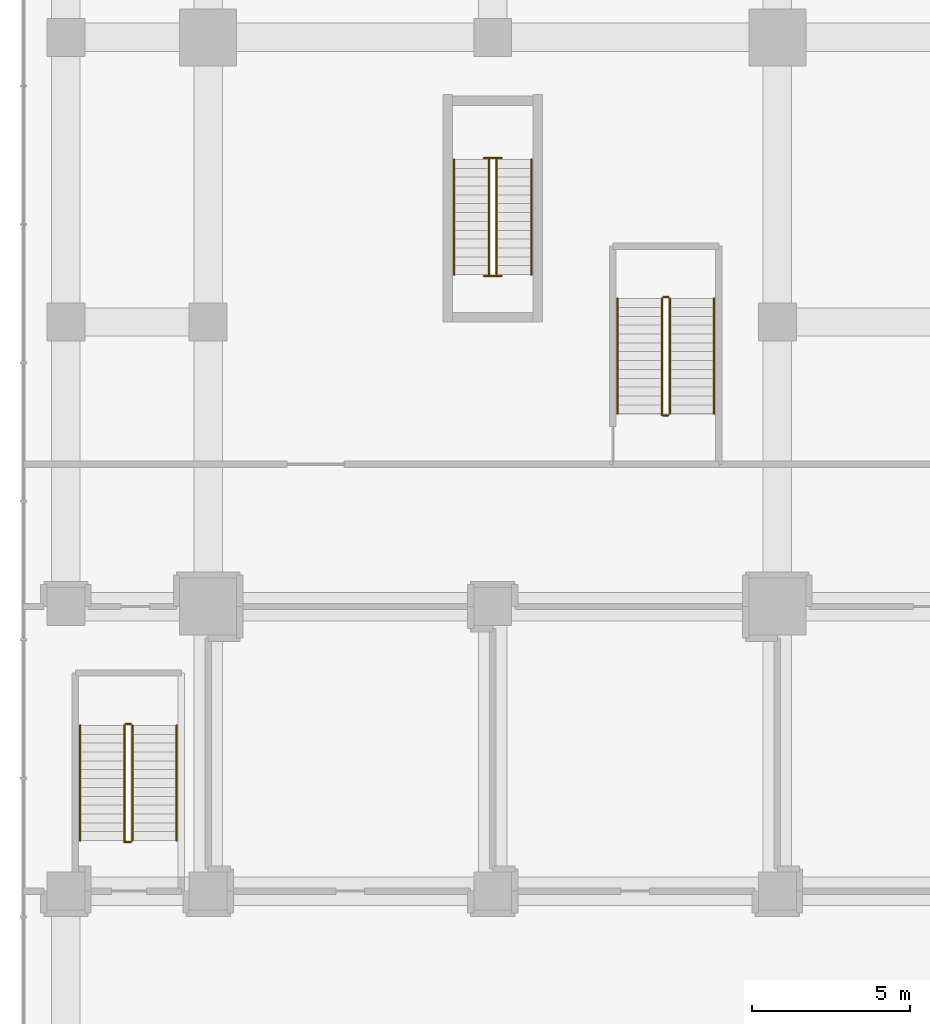
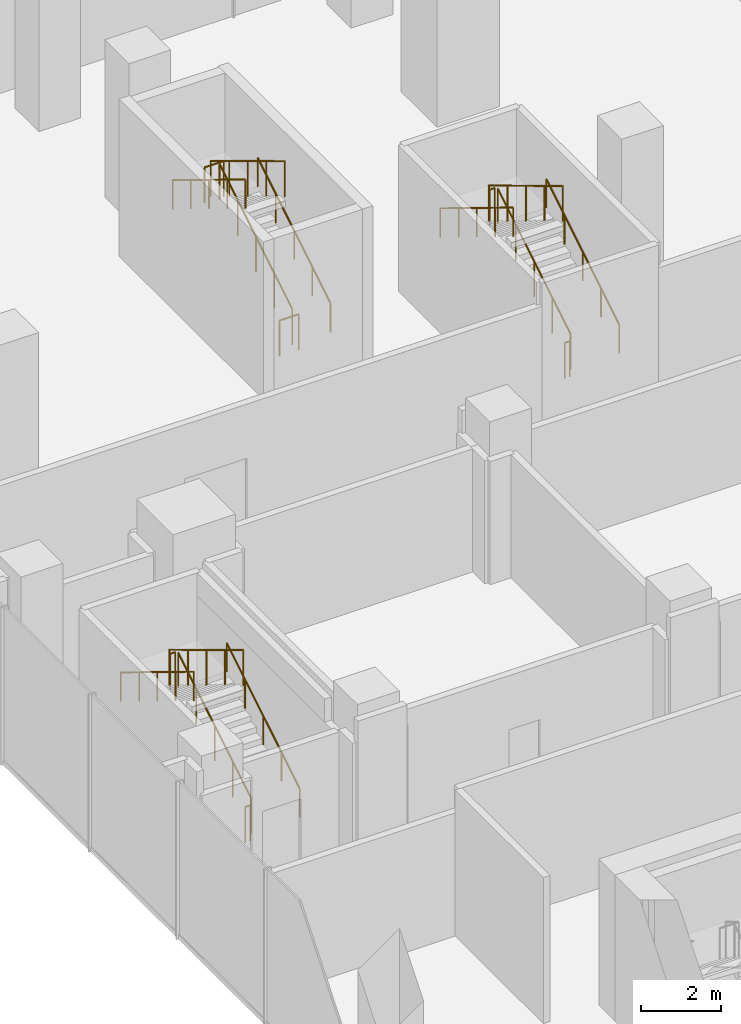
# One storey, part 39 of 42: 18 railings.
"""IFC4 building model written with IfcOpenShell, lengths in metres."""

from ifc_helpers import new_model, si_unit, direction, frame, origin, origin_2d, place, context, subcontext, project, spatial, circle, extrude, material, type_object, element, save


model = new_model("IFC4")

# Units and contexts
model_context = context("Model", 3, precision=1e-05, world=origin(), true_north=direction((0.0, 1.0)))
body_context = subcontext(model_context, "Body", "Model", "MODEL_VIEW")
ifc_project = project(units=[si_unit("LENGTHUNIT", "METRE"), si_unit("AREAUNIT", "SQUARE_METRE"), si_unit("VOLUMEUNIT", "CUBIC_METRE"), si_unit("PLANEANGLEUNIT", "RADIAN"), si_unit("MASSUNIT", "GRAM", prefix="KILO")], contexts=[model_context])

# Site, building, storey
site_placement = place(None, origin())
site = spatial("IfcSite", under=ifc_project, at=site_placement, CompositionType="ELEMENT")
building_placement = place(site_placement, origin())
building = spatial("IfcBuilding", under=site, at=building_placement, Name="Plateau Cross Towers", CompositionType="ELEMENT")
storey_placement = place(building_placement, frame((0.0, 0.0, 8.0)))
storey = spatial("IfcBuildingStorey", under=building, at=storey_placement, Name="L01", CompositionType="ELEMENT", Elevation=8.0)

# Railings
ifc_material_1 = material(Name="Stainless steel and toughened glass", Category="steel")
railing_type_1 = type_object("IfcRailingType", Name="RL-GUARD-1100", PredefinedType="GUARDRAIL", material=ifc_material_1)
railing_1_placement = place(storey_placement, frame((9.125, 46.5, 0.17138671875)))
element("IfcRailing", 1, at=railing_1_placement, inside=storey, type_object=railing_type_1, Name="L01 ES-N stair guard 1", PredefinedType="GUARDRAIL", context=body_context, shape_type="SweptSolid", body=[
    extrude(circle(Radius=0.02392578125, at=origin_2d()), frame((0.0, 0.0, 1.076171875), z_axis=(0.0, 0.852850264322, 0.5221555579), x_axis=(-1.0, 0.0, 0.0)), (0.0, 0.0, 1.0), 4.267822265625),
    extrude(circle(Radius=0.02099609375, at=origin_2d()), origin(), (0.0, 0.0, 1.0), 1.052001953125),
    extrude(circle(Radius=0.02099609375, at=origin_2d()), frame((0.0, 0.909912109375, 0.55712890625)), (0.0, 0.0, 1.0), 1.052001953125),
    extrude(circle(Radius=0.02099609375, at=origin_2d()), frame((0.0, 1.81982421875, 1.1142578125)), (0.0, 0.0, 1.0), 1.052001953125),
    extrude(circle(Radius=0.02099609375, at=origin_2d()), frame((0.0, 2.72998046875, 1.67138671875)), (0.0, 0.0, 1.0), 1.052001953125),
    extrude(circle(Radius=0.02099609375, at=origin_2d()), frame((0.0, 3.639892578125, 2.228515625)), (0.0, 0.0, 1.0), 1.052001953125),
])
railing_2_placement = place(storey_placement, frame((9.27490234375, 50.18994140625, 2.39990234375)))
element("IfcRailing", 2, at=railing_2_placement, inside=storey, type_object=railing_type_1, Name="L01 ES-N stair guard 2", PredefinedType="GUARDRAIL", context=body_context, shape_type="SweptSolid", body=[
    extrude(circle(Radius=0.02392578125, at=origin_2d()), frame((0.0, 0.0, 1.076171875), z_axis=(-1.0, 0.0, 0.0), x_axis=(0.0, -1.0, 0.0)), (0.0, 0.0, 1.0), 0.5498046875),
    extrude(circle(Radius=0.02099609375, at=origin_2d()), origin(), (0.0, 0.0, 1.0), 1.052001953125),
    extrude(circle(Radius=0.02099609375, at=origin_2d()), frame((-0.5498046875, 0.0, 0.0)), (0.0, 0.0, 1.0), 1.052001953125),
])
railing_3_placement = place(storey_placement, frame((8.875, 50.139892578125, 2.571533203125)))
element("IfcRailing", 3, at=railing_3_placement, inside=storey, type_object=railing_type_1, Name="L01 ES-N stair guard 3", PredefinedType="GUARDRAIL", context=body_context, shape_type="SweptSolid", body=[
    extrude(circle(Radius=0.02392578125, at=origin_2d()), frame((0.0, 0.0, 1.076171875), z_axis=(0.0, -0.856000133688, 0.516975600126), x_axis=(1.0, 0.0, 0.0)), (0.0, 0.0, 1.0), 4.310791015625),
    extrude(circle(Radius=0.02099609375, at=origin_2d()), origin(), (0.0, 0.0, 1.0), 1.052001953125),
    extrude(circle(Radius=0.02099609375, at=origin_2d()), frame((0.0, -0.92236328125, 0.55712890625)), (0.0, 0.0, 1.0), 1.052001953125),
    extrude(circle(Radius=0.02099609375, at=origin_2d()), frame((0.0, -1.844970703125, 1.1142578125)), (0.0, 0.0, 1.0), 1.052001953125),
    extrude(circle(Radius=0.02099609375, at=origin_2d()), frame((0.0, -2.767578125, 1.67138671875)), (0.0, 0.0, 1.0), 1.052001953125),
    extrude(circle(Radius=0.02099609375, at=origin_2d()), frame((0.0, -3.68994140625, 2.228515625)), (0.0, 0.0, 1.0), 1.052001953125),
])
railing_4_placement = place(storey_placement, frame((9.27490234375, 46.449951171875, 0.0)))
element("IfcRailing", 4, at=railing_4_placement, inside=storey, type_object=railing_type_1, Name="L01 ES-N stair guard 4", PredefinedType="GUARDRAIL", context=body_context, shape_type="SweptSolid", body=[
    extrude(circle(Radius=0.02392578125, at=origin_2d()), frame((0.0, 0.0, 1.076171875), z_axis=(-1.0, 0.0, 0.0), x_axis=(0.0, -1.0, 0.0)), (0.0, 0.0, 1.0), 0.5498046875),
    extrude(circle(Radius=0.02099609375, at=origin_2d()), origin(), (0.0, 0.0, 1.0), 1.052001953125),
    extrude(circle(Radius=0.02099609375, at=origin_2d()), frame((-0.5498046875, 0.0, 0.0)), (0.0, 0.0, 1.0), 1.052001953125),
])
railing_5_placement = place(storey_placement, frame((-2.39990234375, 28.60009765625, 0.17138671875)))
element("IfcRailing", 5, at=railing_5_placement, inside=storey, type_object=railing_type_1, Name="L01 PS4 stair guard 1", PredefinedType="GUARDRAIL", context=body_context, shape_type="SweptSolid", body=[
    extrude(circle(Radius=0.02392578125, at=origin_2d()), frame((0.0, 0.0, 1.076171875), z_axis=(0.0, 0.852850264322, 0.5221555579), x_axis=(-1.0, 0.0, 0.0)), (0.0, 0.0, 1.0), 4.267822265625),
    extrude(circle(Radius=0.02099609375, at=origin_2d()), origin(), (0.0, 0.0, 1.0), 1.052001953125),
    extrude(circle(Radius=0.02099609375, at=origin_2d()), frame((0.0, 0.909912109375, 0.55712890625)), (0.0, 0.0, 1.0), 1.052001953125),
    extrude(circle(Radius=0.02099609375, at=origin_2d()), frame((0.0, 1.81982421875, 1.1142578125)), (0.0, 0.0, 1.0), 1.052001953125),
    extrude(circle(Radius=0.02099609375, at=origin_2d()), frame((0.0, 2.72998046875, 1.67138671875)), (0.0, 0.0, 1.0), 1.052001953125),
    extrude(circle(Radius=0.02099609375, at=origin_2d()), frame((0.0, 3.639892578125, 2.228515625)), (0.0, 0.0, 1.0), 1.052001953125),
])
railing_6_placement = place(storey_placement, frame((-2.449951171875, 32.2900390625, 2.39990234375)))
element("IfcRailing", 6, at=railing_6_placement, inside=storey, type_object=railing_type_1, Name="L01 PS4 stair guard 2", PredefinedType="GUARDRAIL", context=body_context, shape_type="SweptSolid", body=[
    extrude(circle(Radius=0.02392578125, at=origin_2d()), frame((0.0, 0.0, 1.076171875), z_axis=(-1.0, 0.0, 0.0), x_axis=(0.0, -1.0, 0.0)), (0.0, 0.0, 1.0), 0.150146484375),
    extrude(circle(Radius=0.02099609375, at=origin_2d()), origin(), (0.0, 0.0, 1.0), 1.052001953125),
    extrude(circle(Radius=0.02099609375, at=origin_2d()), frame((-0.150146484375, 0.0, 0.0)), (0.0, 0.0, 1.0), 1.052001953125),
])
railing_7_placement = place(storey_placement, frame((-2.64990234375, 32.239990234375, 2.571533203125)))
element("IfcRailing", 7, at=railing_7_placement, inside=storey, type_object=railing_type_1, Name="L01 PS4 stair guard 3", PredefinedType="GUARDRAIL", context=body_context, shape_type="SweptSolid", body=[
    extrude(circle(Radius=0.02392578125, at=origin_2d()), frame((0.0, 0.0, 1.076171875), z_axis=(0.0, -0.856000133688, 0.516975600126), x_axis=(1.0, 0.0, 0.0)), (0.0, 0.0, 1.0), 4.310791015625),
    extrude(circle(Radius=0.02099609375, at=origin_2d()), origin(), (0.0, 0.0, 1.0), 1.052001953125),
    extrude(circle(Radius=0.02099609375, at=origin_2d()), frame((0.0, -0.92236328125, 0.55712890625)), (0.0, 0.0, 1.0), 1.052001953125),
    extrude(circle(Radius=0.02099609375, at=origin_2d()), frame((0.0, -1.844970703125, 1.1142578125)), (0.0, 0.0, 1.0), 1.052001953125),
    extrude(circle(Radius=0.02099609375, at=origin_2d()), frame((0.0, -2.767578125, 1.67138671875)), (0.0, 0.0, 1.0), 1.052001953125),
    extrude(circle(Radius=0.02099609375, at=origin_2d()), frame((0.0, -3.68994140625, 2.228515625)), (0.0, 0.0, 1.0), 1.052001953125),
])
railing_8_placement = place(storey_placement, frame((-2.449951171875, 28.550048828125, 0.0)))
element("IfcRailing", 8, at=railing_8_placement, inside=storey, type_object=railing_type_1, Name="L01 PS4 stair guard 4", PredefinedType="GUARDRAIL", context=body_context, shape_type="SweptSolid", body=[
    extrude(circle(Radius=0.02392578125, at=origin_2d()), frame((0.0, 0.0, 1.076171875), z_axis=(-1.0, 0.0, 0.0), x_axis=(0.0, -1.0, 0.0)), (0.0, 0.0, 1.0), 0.150146484375),
    extrude(circle(Radius=0.02099609375, at=origin_2d()), origin(), (0.0, 0.0, 1.0), 1.052001953125),
    extrude(circle(Radius=0.02099609375, at=origin_2d()), frame((-0.150146484375, 0.0, 0.0)), (0.0, 0.0, 1.0), 1.052001953125),
])
railing_9_placement = place(storey_placement, frame((14.60009765625, 42.10009765625, 0.17138671875)))
element("IfcRailing", 9, at=railing_9_placement, inside=storey, type_object=railing_type_1, Name="L01 PS6 stair guard 1", PredefinedType="GUARDRAIL", context=body_context, shape_type="SweptSolid", body=[
    extrude(circle(Radius=0.02392578125, at=origin_2d()), frame((0.0, 0.0, 1.076171875), z_axis=(0.0, 0.852850264322, 0.5221555579), x_axis=(-1.0, 0.0, 0.0)), (0.0, 0.0, 1.0), 4.267822265625),
    extrude(circle(Radius=0.02099609375, at=origin_2d()), origin(), (0.0, 0.0, 1.0), 1.052001953125),
    extrude(circle(Radius=0.02099609375, at=origin_2d()), frame((0.0, 0.909912109375, 0.55712890625)), (0.0, 0.0, 1.0), 1.052001953125),
    extrude(circle(Radius=0.02099609375, at=origin_2d()), frame((0.0, 1.81982421875, 1.1142578125)), (0.0, 0.0, 1.0), 1.052001953125),
    extrude(circle(Radius=0.02099609375, at=origin_2d()), frame((0.0, 2.72998046875, 1.67138671875)), (0.0, 0.0, 1.0), 1.052001953125),
    extrude(circle(Radius=0.02099609375, at=origin_2d()), frame((0.0, 3.639892578125, 2.228515625)), (0.0, 0.0, 1.0), 1.052001953125),
])
railing_10_placement = place(storey_placement, frame((14.550048828125, 45.7900390625, 2.39990234375)))
element("IfcRailing", 10, at=railing_10_placement, inside=storey, type_object=railing_type_1, Name="L01 PS6 stair guard 2", PredefinedType="GUARDRAIL", context=body_context, shape_type="SweptSolid", body=[
    extrude(circle(Radius=0.02392578125, at=origin_2d()), frame((0.0, 0.0, 1.076171875), z_axis=(-1.0, 0.0, 0.0), x_axis=(0.0, -1.0, 0.0)), (0.0, 0.0, 1.0), 0.150146484375),
    extrude(circle(Radius=0.02099609375, at=origin_2d()), origin(), (0.0, 0.0, 1.0), 1.052001953125),
    extrude(circle(Radius=0.02099609375, at=origin_2d()), frame((-0.150146484375, 0.0, 0.0)), (0.0, 0.0, 1.0), 1.052001953125),
])
railing_11_placement = place(storey_placement, frame((14.35009765625, 45.739990234375, 2.571533203125)))
element("IfcRailing", 11, at=railing_11_placement, inside=storey, type_object=railing_type_1, Name="L01 PS6 stair guard 3", PredefinedType="GUARDRAIL", context=body_context, shape_type="SweptSolid", body=[
    extrude(circle(Radius=0.02392578125, at=origin_2d()), frame((0.0, 0.0, 1.076171875), z_axis=(0.0, -0.856000133688, 0.516975600126), x_axis=(1.0, 0.0, 0.0)), (0.0, 0.0, 1.0), 4.310791015625),
    extrude(circle(Radius=0.02099609375, at=origin_2d()), origin(), (0.0, 0.0, 1.0), 1.052001953125),
    extrude(circle(Radius=0.02099609375, at=origin_2d()), frame((0.0, -0.92236328125, 0.55712890625)), (0.0, 0.0, 1.0), 1.052001953125),
    extrude(circle(Radius=0.02099609375, at=origin_2d()), frame((0.0, -1.844970703125, 1.1142578125)), (0.0, 0.0, 1.0), 1.052001953125),
    extrude(circle(Radius=0.02099609375, at=origin_2d()), frame((0.0, -2.767578125, 1.67138671875)), (0.0, 0.0, 1.0), 1.052001953125),
    extrude(circle(Radius=0.02099609375, at=origin_2d()), frame((0.0, -3.68994140625, 2.228515625)), (0.0, 0.0, 1.0), 1.052001953125),
])
railing_12_placement = place(storey_placement, frame((14.550048828125, 42.050048828125, 0.0)))
element("IfcRailing", 12, at=railing_12_placement, inside=storey, type_object=railing_type_1, Name="L01 PS6 stair guard 4", PredefinedType="GUARDRAIL", context=body_context, shape_type="SweptSolid", body=[
    extrude(circle(Radius=0.02392578125, at=origin_2d()), frame((0.0, 0.0, 1.076171875), z_axis=(-1.0, 0.0, 0.0), x_axis=(0.0, -1.0, 0.0)), (0.0, 0.0, 1.0), 0.150146484375),
    extrude(circle(Radius=0.02099609375, at=origin_2d()), origin(), (0.0, 0.0, 1.0), 1.052001953125),
    extrude(circle(Radius=0.02099609375, at=origin_2d()), frame((-0.150146484375, 0.0, 0.0)), (0.0, 0.0, 1.0), 1.052001953125),
])
ifc_material_2 = material(Name="Black anodised aluminium", Category="aluminium")
railing_type_2 = type_object("IfcRailingType", Name="RL-HANDRAIL-900", PredefinedType="HANDRAIL", material=ifc_material_2)
railing_13_placement = place(storey_placement, frame((10.22509765625, 46.5, 0.17138671875)))
element("IfcRailing", 13, at=railing_13_placement, inside=storey, type_object=railing_type_2, Name="L01 ES-N stair handrail 1", PredefinedType="HANDRAIL", context=body_context, shape_type="SweptSolid", body=[
    extrude(circle(Radius=0.02392578125, at=origin_2d()), frame((0.0, 0.0, 0.8759765625), z_axis=(0.0, 0.852850264322, 0.5221555579), x_axis=(-1.0, 0.0, 0.0)), (0.0, 0.0, 1.0), 4.267822265625),
    extrude(circle(Radius=0.02099609375, at=origin_2d()), origin(), (0.0, 0.0, 1.0), 0.851806640625),
    extrude(circle(Radius=0.02099609375, at=origin_2d()), frame((0.0, 0.909912109375, 0.55712890625)), (0.0, 0.0, 1.0), 0.851806640625),
    extrude(circle(Radius=0.02099609375, at=origin_2d()), frame((0.0, 1.81982421875, 1.1142578125)), (0.0, 0.0, 1.0), 0.851806640625),
    extrude(circle(Radius=0.02099609375, at=origin_2d()), frame((0.0, 2.72998046875, 1.67138671875)), (0.0, 0.0, 1.0), 0.851806640625),
    extrude(circle(Radius=0.02099609375, at=origin_2d()), frame((0.0, 3.639892578125, 2.228515625)), (0.0, 0.0, 1.0), 0.851806640625),
])
railing_14_placement = place(storey_placement, frame((7.77490234375, 50.139892578125, 2.571533203125)))
element("IfcRailing", 14, at=railing_14_placement, inside=storey, type_object=railing_type_2, Name="L01 ES-N stair handrail 2", PredefinedType="HANDRAIL", context=body_context, shape_type="SweptSolid", body=[
    extrude(circle(Radius=0.02392578125, at=origin_2d()), frame((0.0, 0.0, 0.8759765625), z_axis=(0.0, -0.852850264322, 0.5221555579), x_axis=(1.0, 0.0, 0.0)), (0.0, 0.0, 1.0), 4.267822265625),
    extrude(circle(Radius=0.02099609375, at=origin_2d()), origin(), (0.0, 0.0, 1.0), 0.851806640625),
    extrude(circle(Radius=0.02099609375, at=origin_2d()), frame((0.0, -0.909912109375, 0.55712890625)), (0.0, 0.0, 1.0), 0.851806640625),
    extrude(circle(Radius=0.02099609375, at=origin_2d()), frame((0.0, -1.81982421875, 1.1142578125)), (0.0, 0.0, 1.0), 0.851806640625),
    extrude(circle(Radius=0.02099609375, at=origin_2d()), frame((0.0, -2.72998046875, 1.67138671875)), (0.0, 0.0, 1.0), 0.851806640625),
    extrude(circle(Radius=0.02099609375, at=origin_2d()), frame((0.0, -3.639892578125, 2.228515625)), (0.0, 0.0, 1.0), 0.851806640625),
])
railing_15_placement = place(storey_placement, frame((-1.0, 28.60009765625, 0.17138671875)))
element("IfcRailing", 15, at=railing_15_placement, inside=storey, type_object=railing_type_2, Name="L01 PS4 stair handrail 1", PredefinedType="HANDRAIL", context=body_context, shape_type="SweptSolid", body=[
    extrude(circle(Radius=0.02392578125, at=origin_2d()), frame((0.0, 0.0, 0.8759765625), z_axis=(0.0, 0.852850264322, 0.5221555579), x_axis=(-1.0, 0.0, 0.0)), (0.0, 0.0, 1.0), 4.267822265625),
    extrude(circle(Radius=0.02099609375, at=origin_2d()), origin(), (0.0, 0.0, 1.0), 0.851806640625),
    extrude(circle(Radius=0.02099609375, at=origin_2d()), frame((0.0, 0.909912109375, 0.55712890625)), (0.0, 0.0, 1.0), 0.851806640625),
    extrude(circle(Radius=0.02099609375, at=origin_2d()), frame((0.0, 1.81982421875, 1.1142578125)), (0.0, 0.0, 1.0), 0.851806640625),
    extrude(circle(Radius=0.02099609375, at=origin_2d()), frame((0.0, 2.72998046875, 1.67138671875)), (0.0, 0.0, 1.0), 0.851806640625),
    extrude(circle(Radius=0.02099609375, at=origin_2d()), frame((0.0, 3.639892578125, 2.228515625)), (0.0, 0.0, 1.0), 0.851806640625),
])
railing_16_placement = place(storey_placement, frame((-4.050048828125, 32.239990234375, 2.571533203125)))
element("IfcRailing", 16, at=railing_16_placement, inside=storey, type_object=railing_type_2, Name="L01 PS4 stair handrail 2", PredefinedType="HANDRAIL", context=body_context, shape_type="SweptSolid", body=[
    extrude(circle(Radius=0.02392578125, at=origin_2d()), frame((0.0, 0.0, 0.8759765625), z_axis=(0.0, -0.852850264322, 0.5221555579), x_axis=(1.0, 0.0, 0.0)), (0.0, 0.0, 1.0), 4.267822265625),
    extrude(circle(Radius=0.02099609375, at=origin_2d()), origin(), (0.0, 0.0, 1.0), 0.851806640625),
    extrude(circle(Radius=0.02099609375, at=origin_2d()), frame((0.0, -0.909912109375, 0.55712890625)), (0.0, 0.0, 1.0), 0.851806640625),
    extrude(circle(Radius=0.02099609375, at=origin_2d()), frame((0.0, -1.81982421875, 1.1142578125)), (0.0, 0.0, 1.0), 0.851806640625),
    extrude(circle(Radius=0.02099609375, at=origin_2d()), frame((0.0, -2.72998046875, 1.67138671875)), (0.0, 0.0, 1.0), 0.851806640625),
    extrude(circle(Radius=0.02099609375, at=origin_2d()), frame((0.0, -3.639892578125, 2.228515625)), (0.0, 0.0, 1.0), 0.851806640625),
])
railing_17_placement = place(storey_placement, frame((16.0, 42.10009765625, 0.17138671875)))
element("IfcRailing", 17, at=railing_17_placement, inside=storey, type_object=railing_type_2, Name="L01 PS6 stair handrail 1", PredefinedType="HANDRAIL", context=body_context, shape_type="SweptSolid", body=[
    extrude(circle(Radius=0.02392578125, at=origin_2d()), frame((0.0, 0.0, 0.8759765625), z_axis=(0.0, 0.852850264322, 0.5221555579), x_axis=(-1.0, 0.0, 0.0)), (0.0, 0.0, 1.0), 4.267822265625),
    extrude(circle(Radius=0.02099609375, at=origin_2d()), origin(), (0.0, 0.0, 1.0), 0.851806640625),
    extrude(circle(Radius=0.02099609375, at=origin_2d()), frame((0.0, 0.909912109375, 0.55712890625)), (0.0, 0.0, 1.0), 0.851806640625),
    extrude(circle(Radius=0.02099609375, at=origin_2d()), frame((0.0, 1.81982421875, 1.1142578125)), (0.0, 0.0, 1.0), 0.851806640625),
    extrude(circle(Radius=0.02099609375, at=origin_2d()), frame((0.0, 2.72998046875, 1.67138671875)), (0.0, 0.0, 1.0), 0.851806640625),
    extrude(circle(Radius=0.02099609375, at=origin_2d()), frame((0.0, 3.639892578125, 2.228515625)), (0.0, 0.0, 1.0), 0.851806640625),
])
railing_18_placement = place(storey_placement, frame((12.949951171875, 45.739990234375, 2.571533203125)))
element("IfcRailing", 18, at=railing_18_placement, inside=storey, type_object=railing_type_2, Name="L01 PS6 stair handrail 2", PredefinedType="HANDRAIL", context=body_context, shape_type="SweptSolid", body=[
    extrude(circle(Radius=0.02392578125, at=origin_2d()), frame((0.0, 0.0, 0.8759765625), z_axis=(0.0, -0.852850264322, 0.5221555579), x_axis=(1.0, 0.0, 0.0)), (0.0, 0.0, 1.0), 4.267822265625),
    extrude(circle(Radius=0.02099609375, at=origin_2d()), origin(), (0.0, 0.0, 1.0), 0.851806640625),
    extrude(circle(Radius=0.02099609375, at=origin_2d()), frame((0.0, -0.909912109375, 0.55712890625)), (0.0, 0.0, 1.0), 0.851806640625),
    extrude(circle(Radius=0.02099609375, at=origin_2d()), frame((0.0, -1.81982421875, 1.1142578125)), (0.0, 0.0, 1.0), 0.851806640625),
    extrude(circle(Radius=0.02099609375, at=origin_2d()), frame((0.0, -2.72998046875, 1.67138671875)), (0.0, 0.0, 1.0), 0.851806640625),
    extrude(circle(Radius=0.02099609375, at=origin_2d()), frame((0.0, -3.639892578125, 2.228515625)), (0.0, 0.0, 1.0), 0.851806640625),
])

save(model, "model.ifc")
